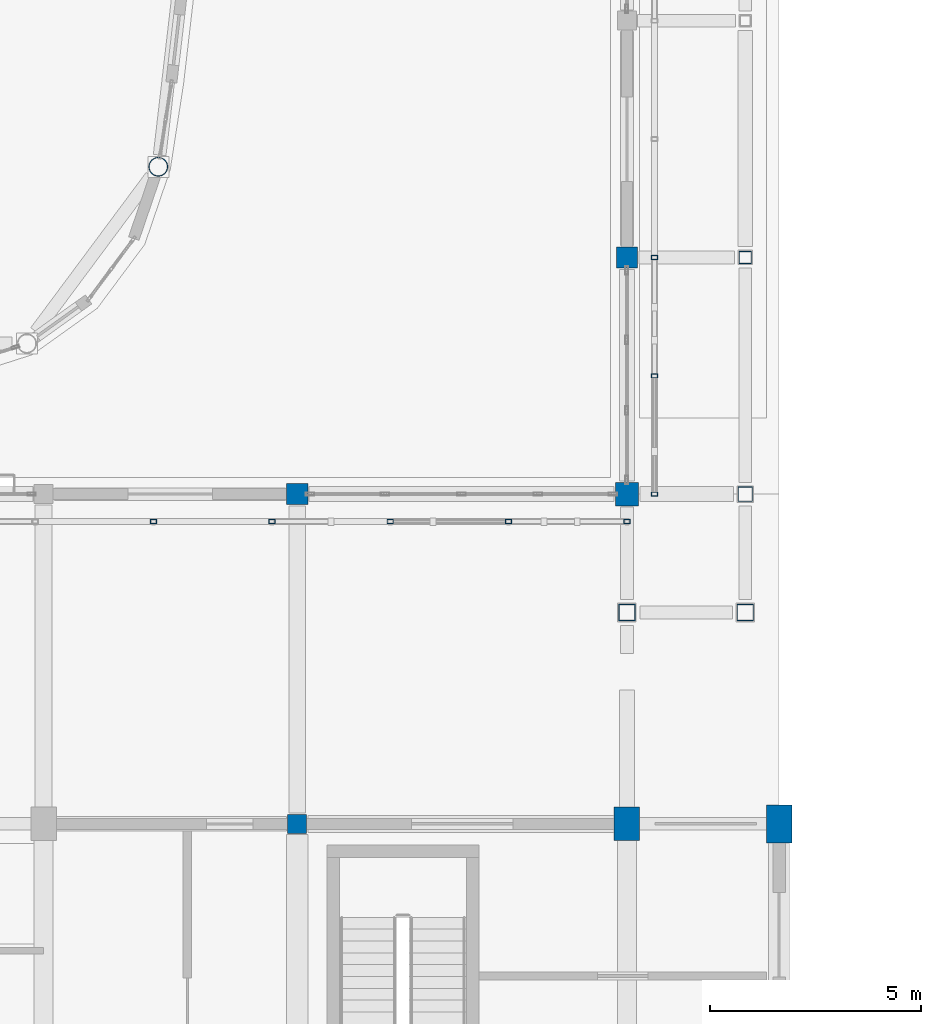
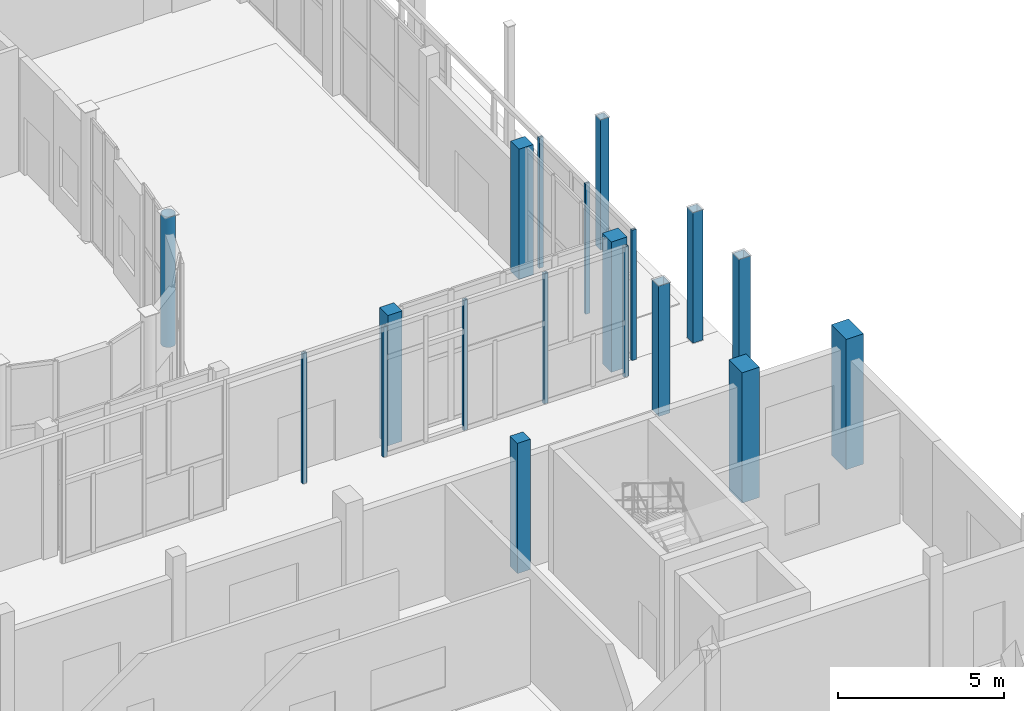
# One storey, part 6 of 91: 19 columns.
"""IFC4 building model written with IfcOpenShell, lengths in metres."""

from ifc_helpers import new_model, si_unit, direction, frame, origin, origin_2d, place, context, subcontext, project, spatial, rectangle, hollow_rectangle, hollow_circle, extrude, material, material_profile, profile_set, type_object, element, save


model = new_model("IFC4")

# Units and contexts
model_context = context("Model", 3, precision=1e-05, world=origin(), true_north=direction((0.0, 1.0)))
body_context = subcontext(model_context, "Body", "Model", "MODEL_VIEW")
ifc_project = project(units=[si_unit("LENGTHUNIT", "METRE"), si_unit("AREAUNIT", "SQUARE_METRE"), si_unit("VOLUMEUNIT", "CUBIC_METRE"), si_unit("PLANEANGLEUNIT", "RADIAN"), si_unit("MASSUNIT", "GRAM", prefix="KILO")], contexts=[model_context])

# Site, building, storey
site_placement = place(None, origin())
site = spatial("IfcSite", under=ifc_project, at=site_placement, CompositionType="ELEMENT")
building_placement = place(site_placement, origin())
building = spatial("IfcBuilding", under=site, at=building_placement, Name="Vinh Khe Railworks Police Headquarters", CompositionType="ELEMENT")
storey_placement = place(building_placement, origin())
storey = spatial("IfcBuildingStorey", under=building, at=storey_placement, Name="L00", CompositionType="ELEMENT", Elevation=0.0)

# Columns
ifc_material_1 = material(Name="Steel S355JR", Category="steel")
ifc_material_profile_1 = material_profile(ifc_material_1, hollow_rectangle(XDim=0.14990234375, YDim=0.10009765625, WallThickness=0.008056640625, at=origin_2d()), Name="RHS 150x100x8")
ifc_profile_set_1 = profile_set([ifc_material_profile_1], Name="Steel S355JR")
column_type_1 = type_object("IfcColumnType", Name="COL-QUILT-POST", PredefinedType="COLUMN", material=ifc_profile_set_1)
for number, where, z_axis, x_axis, name in (
    (1, (48.800048828125, 24.550048828125, 0.0), (0.0, 0.0, 1.0), (1.0, 0.0, 0.0), "Patchwork Quilt Carrier Column S-9 (L00)"),
    (2, (51.60009765625, 24.550048828125, 0.0), (0.0, 0.0, 1.0), (1.0, 0.0, 0.0), "Patchwork Quilt Carrier Column S-10 (L00)"),
    (3, (54.39990234375, 24.550048828125, 0.0), (0.0, 0.0, 1.0), (1.0, 0.0, 0.0), "Patchwork Quilt Carrier Column S-11 (L00)"),
    (4, (57.199951171875, 24.550048828125, 0.0), (0.0, 0.0, 1.0), (1.0, 0.0, 0.0), "Patchwork Quilt Carrier Column S-12 (L00)"),
    (5, (60.0, 24.550048828125, 0.0), (0.0, 0.0, 1.0), (1.0, 0.0, 0.0), "Patchwork Quilt Carrier Column S-13 (L00)"),
    (6, (60.64990234375, 25.199951171875, 0.0), (0.0, 0.0, 1.0), (1.0, 0.0, 0.0), "Patchwork Quilt Carrier Column E-1 (L00)"),
    (7, (60.64990234375, 28.0, 0.0), (0.0, 0.0, 1.0), (1.0, 0.0, 0.0), "Patchwork Quilt Carrier Column E-2 (L00)"),
    (8, (60.64990234375, 30.800048828125, 0.0), (0.0, 0.0, 1.0), (1.0, 0.0, 0.0), "Patchwork Quilt Carrier Column E-3 (L00)"),
):
    element("IfcColumn", number, at=place(storey_placement, frame(where, z_axis=z_axis, x_axis=x_axis)), inside=storey, type_object=column_type_1, Name=name, PredefinedType="COLUMN", context=body_context, shape_type="SweptSolid", body=[
        extrude(hollow_rectangle(XDim=0.14990234375, YDim=0.10009765625, WallThickness=0.008056640625, at=origin_2d()), origin(), (0.0, 0.0, 1.0), 4.800048828125),
    ])
ifc_material_2 = material(Name="Concrete C40/50 (B40)", Category="concrete")
ifc_material_profile_2 = material_profile(ifc_material_2, rectangle(XDim=0.449951171875, YDim=0.449951171875, at=origin_2d()), Name="RC 450x450")
ifc_profile_set_2 = profile_set([ifc_material_profile_2], Name="Concrete C40/50 (B40)")
column_type_2 = type_object("IfcColumnType", Name="RC Column RC 450x450", PredefinedType="COLUMN", material=ifc_profile_set_2)
column_1_placement = place(storey_placement, frame((52.199951171875, 17.39990234375, 0.0), z_axis=(0.0, 0.0, 1.0), x_axis=(1.0, 0.0, 0.0)))
element("IfcColumn", 9, at=column_1_placement, inside=storey, type_object=column_type_2, Name="Column COL-L00-CC-08-0966", PredefinedType="COLUMN", context=body_context, shape_type="SweptSolid", body=[
    extrude(rectangle(XDim=0.449951171875, YDim=0.449951171875, at=origin_2d()), origin(), (0.0, 0.0, 1.0), 4.800048828125),
])
ifc_material_profile_3 = material_profile(ifc_material_2, rectangle(XDim=0.5, YDim=0.5, at=origin_2d()), Name="RC 500x500")
ifc_profile_set_3 = profile_set([ifc_material_profile_3], Name="Concrete C40/50 (B40)")
column_type_3 = type_object("IfcColumnType", Name="RC Column RC 500x500", PredefinedType="COLUMN", material=ifc_profile_set_3)
for number, where, z_axis, x_axis, name in (
    (10, (52.199951171875, 25.199951171875, 0.0), (0.0, 0.0, 1.0), (1.0, 0.0, 0.0), "Column COL-L00-CC-07-0969"),
    (11, (60.0, 30.800048828125, 0.0), (0.0, 0.0, 1.0), (1.0, 0.0, 0.0), "Column COL-L00-CC-07-1013"),
):
    element("IfcColumn", number, at=place(storey_placement, frame(where, z_axis=z_axis, x_axis=x_axis)), inside=storey, type_object=column_type_3, Name=name, PredefinedType="COLUMN", context=body_context, shape_type="SweptSolid", body=[
        extrude(rectangle(XDim=0.5, YDim=0.5, at=origin_2d()), origin(), (0.0, 0.0, 1.0), 4.800048828125),
    ])
ifc_material_profile_4 = material_profile(ifc_material_2, rectangle(XDim=0.550048828125, YDim=0.550048828125, at=origin_2d()), Name="RC 550x550")
ifc_profile_set_4 = profile_set([ifc_material_profile_4], Name="Concrete C40/50 (B40)")
column_type_4 = type_object("IfcColumnType", Name="RC Column RC 550x550", PredefinedType="COLUMN", material=ifc_profile_set_4)
column_2_placement = place(storey_placement, frame((60.0, 25.199951171875, 0.0), z_axis=(0.0, 0.0, 1.0), x_axis=(1.0, 0.0, 0.0)))
element("IfcColumn", 12, at=column_2_placement, inside=storey, type_object=column_type_4, Name="Column COL-L00-CC-06-1008", PredefinedType="COLUMN", context=body_context, shape_type="SweptSolid", body=[
    extrude(rectangle(XDim=0.550048828125, YDim=0.550048828125, at=origin_2d()), origin(), (0.0, 0.0, 1.0), 4.800048828125),
])
ifc_material_profile_5 = material_profile(ifc_material_2, rectangle(XDim=0.60009765625, YDim=0.800048828125, at=origin_2d()), Name="RC 600x800")
ifc_profile_set_5 = profile_set([ifc_material_profile_5], Name="Concrete C40/50 (B40)")
column_type_5 = type_object("IfcColumnType", Name="RC Column RC 600x800", PredefinedType="COLUMN", material=ifc_profile_set_5)
column_3_placement = place(storey_placement, frame((60.0, 17.39990234375, 0.0), z_axis=(0.0, 0.0, 1.0), x_axis=(1.0, 0.0, 0.0)))
element("IfcColumn", 13, at=column_3_placement, inside=storey, type_object=column_type_5, Name="Column COL-L00-CC-09-0999", PredefinedType="COLUMN", context=body_context, shape_type="SweptSolid", body=[
    extrude(rectangle(XDim=0.60009765625, YDim=0.800048828125, at=origin_2d()), origin(), (0.0, 0.0, 1.0), 4.800048828125),
])
ifc_material_profile_6 = material_profile(ifc_material_2, rectangle(XDim=0.60009765625, YDim=0.89990234375, at=origin_2d()), Name="RC 600x900")
ifc_profile_set_6 = profile_set([ifc_material_profile_6], Name="Concrete C40/50 (B40)")
column_type_6 = type_object("IfcColumnType", Name="RC Column RC 600x900", PredefinedType="COLUMN", material=ifc_profile_set_6)
column_4_placement = place(storey_placement, frame((63.60009765625, 17.39990234375, 0.0), z_axis=(0.0, 0.0, 1.0), x_axis=(1.0, 0.0, 0.0)))
element("IfcColumn", 14, at=column_4_placement, inside=storey, type_object=column_type_6, Name="Column COL-L00-CC-10-1118", PredefinedType="COLUMN", context=body_context, shape_type="SweptSolid", body=[
    extrude(rectangle(XDim=0.60009765625, YDim=0.89990234375, at=origin_2d()), origin(), (0.0, 0.0, 1.0), 4.800048828125),
])
ifc_material_profile_7 = material_profile(ifc_material_1, hollow_circle(Radius=0.228515625, WallThickness=0.02001953125, at=origin_2d()), Name="CHS 457x20")
ifc_profile_set_7 = profile_set([ifc_material_profile_7], Name="Steel S355JR")
column_type_7 = type_object("IfcColumnType", Name="Steel Column CHS 457x20", PredefinedType="COLUMN", material=ifc_profile_set_7)
column_5_placement = place(storey_placement, frame((48.9130859375, 32.944091796875, 0.0), z_axis=(0.0, 0.0, 1.0), x_axis=(0.988148142789, -0.15350325046, 0.0)))
element("IfcColumn", 15, at=column_5_placement, inside=storey, type_object=column_type_7, Name="Column COL-L00-SC-25-0940", PredefinedType="COLUMN", context=body_context, shape_type="SweptSolid", body=[
    extrude(hollow_circle(Radius=0.228515625, WallThickness=0.02001953125, at=origin_2d()), origin(), (0.0, 0.0, 1.0), 4.800048828125),
])
ifc_material_profile_8 = material_profile(ifc_material_1, hollow_rectangle(XDim=0.300048828125, YDim=0.300048828125, WallThickness=0.01611328125, at=origin_2d()), Name="SHS 300x300x16")
ifc_profile_set_8 = profile_set([ifc_material_profile_8], Name="Steel S355JR")
column_type_8 = type_object("IfcColumnType", Name="Steel Column SHS 300x300x16", PredefinedType="COLUMN", material=ifc_profile_set_8)
column_6_placement = place(storey_placement, frame((62.800048828125, 30.800048828125, 0.0), z_axis=(0.0, 0.0, 1.0), x_axis=(1.0, 0.0, 0.0)))
element("IfcColumn", 16, at=column_6_placement, inside=storey, type_object=column_type_8, Name="Column COL-L00-SC-23-1077", PredefinedType="COLUMN", context=body_context, shape_type="SweptSolid", body=[
    extrude(hollow_rectangle(XDim=0.300048828125, YDim=0.300048828125, WallThickness=0.01611328125, at=origin_2d()), origin(), (0.0, 0.0, 1.0), 4.800048828125),
])
ifc_material_profile_9 = material_profile(ifc_material_1, hollow_rectangle(XDim=0.35009765625, YDim=0.35009765625, WallThickness=0.01611328125, at=origin_2d()), Name="SHS 350x350x16")
ifc_profile_set_9 = profile_set([ifc_material_profile_9], Name="Steel S355JR")
column_type_9 = type_object("IfcColumnType", Name="Steel Column SHS 350x350x16", PredefinedType="COLUMN", material=ifc_profile_set_9)
column_7_placement = place(storey_placement, frame((62.800048828125, 25.199951171875, 0.0), z_axis=(0.0, 0.0, 1.0), x_axis=(1.0, 0.0, 0.0)))
element("IfcColumn", 17, at=column_7_placement, inside=storey, type_object=column_type_9, Name="Column COL-L00-SC-22-1072", PredefinedType="COLUMN", context=body_context, shape_type="SweptSolid", body=[
    extrude(hollow_rectangle(XDim=0.35009765625, YDim=0.35009765625, WallThickness=0.01611328125, at=origin_2d()), origin(), (0.0, 0.0, 1.0), 4.800048828125),
])
ifc_material_profile_10 = material_profile(ifc_material_1, hollow_rectangle(XDim=0.39990234375, YDim=0.39990234375, WallThickness=0.02001953125, at=origin_2d()), Name="SHS 400x400x20")
ifc_profile_set_10 = profile_set([ifc_material_profile_10], Name="Steel S355JR")
column_type_10 = type_object("IfcColumnType", Name="Steel Column SHS 400x400x20", PredefinedType="COLUMN", material=ifc_profile_set_10)
for number, where, z_axis, x_axis, name in (
    (18, (60.0, 22.39990234375, 0.0), (0.0, 0.0, 1.0), (1.0, 0.0, 0.0), "Column COL-L00-SC-21-1003"),
    (19, (62.800048828125, 22.39990234375, 0.0), (0.0, 0.0, 1.0), (1.0, 0.0, 0.0), "Column COL-L00-SC-21-1067"),
):
    element("IfcColumn", number, at=place(storey_placement, frame(where, z_axis=z_axis, x_axis=x_axis)), inside=storey, type_object=column_type_10, Name=name, PredefinedType="COLUMN", context=body_context, shape_type="SweptSolid", body=[
        extrude(hollow_rectangle(XDim=0.39990234375, YDim=0.39990234375, WallThickness=0.02001953125, at=origin_2d()), origin(), (0.0, 0.0, 1.0), 4.800048828125),
    ])

save(model, "model.ifc")
